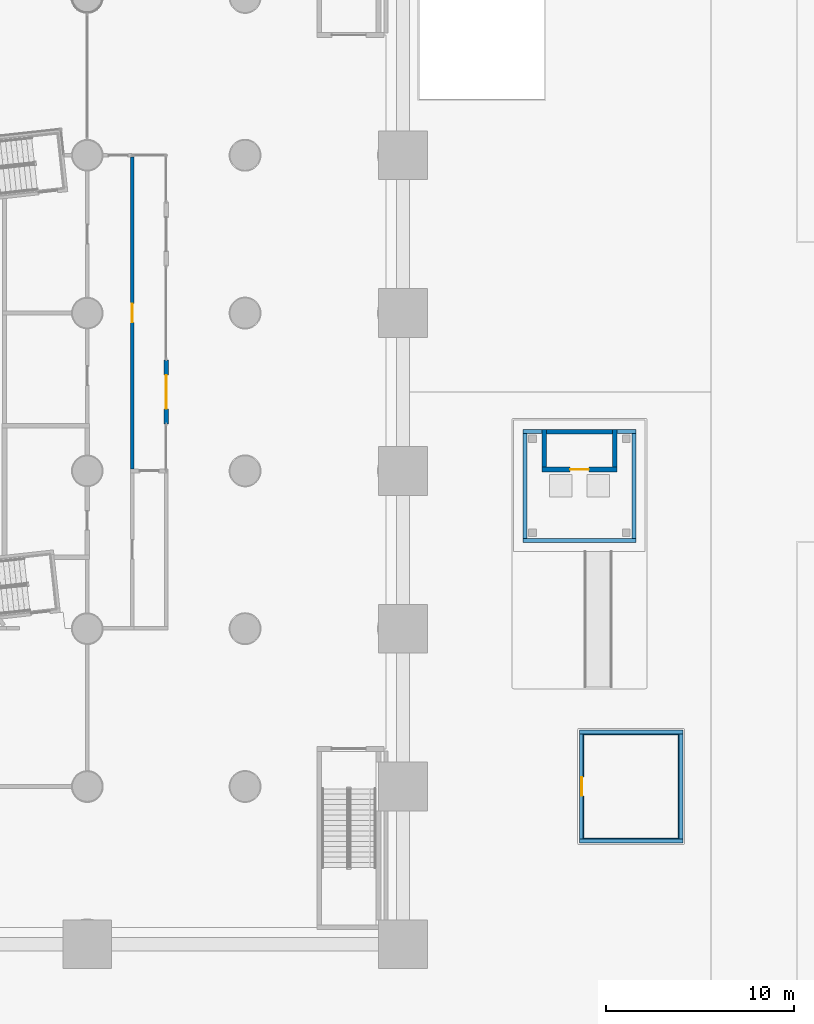
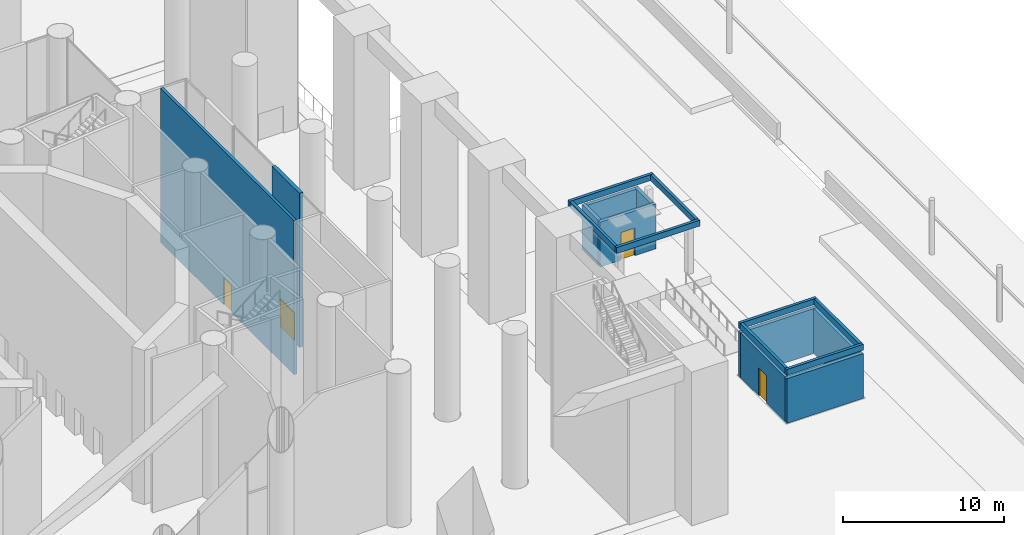
# One storey, part 15 of 52: 18 walls, 4 doors, 4 openings.
"""IFC4 building model written with IfcOpenShell, lengths in metres."""

from ifc_helpers import new_model, si_unit, direction, frame, frame_2d, origin, place, context, subcontext, project, spatial, rectangle, extrude, material, layer, layer_set, type_object, element, fill, save


model = new_model("IFC4")

# Units and contexts
model_context = context("Model", 3, precision=1e-05, world=origin(), true_north=direction((0.0, 1.0)))
body_context = subcontext(model_context, "Body", "Model", "MODEL_VIEW")
ifc_project = project(units=[si_unit("LENGTHUNIT", "METRE"), si_unit("AREAUNIT", "SQUARE_METRE"), si_unit("VOLUMEUNIT", "CUBIC_METRE"), si_unit("PLANEANGLEUNIT", "RADIAN"), si_unit("MASSUNIT", "GRAM", prefix="KILO")], contexts=[model_context])

# Site, building, storey
site_placement = place(None, origin())
site = spatial("IfcSite", under=ifc_project, at=site_placement, CompositionType="ELEMENT")
building_placement = place(site_placement, origin())
building = spatial("IfcBuilding", under=site, at=building_placement, Name="Cantera Rosa Tower", CompositionType="ELEMENT")
storey_placement = place(building_placement, origin())
storey = spatial("IfcBuildingStorey", under=building, at=storey_placement, Name="L00", CompositionType="ELEMENT", Elevation=0.0)

# Wall, opening, door
ifc_material_1 = material(Name="Masonry blockwork", Category="masonry")
ifc_layer_1 = layer(ifc_material_1, 0.199951171875)
ifc_layer_set_1 = layer_set([ifc_layer_1], Name="Blockwork partition 200")
wall_type_1 = type_object("IfcWallType", Name="Blockwork partition 200", PredefinedType="PARTITIONING", material=ifc_layer_set_1)
wall_1_placement = place(storey_placement, frame((19.199951171875, -4.10009765625, 0.0), z_axis=(0.0, 0.0, 1.0), x_axis=(0.0, 1.0, 0.0)))
wall_1 = element("IfcWall", 1, at=wall_1_placement, inside=storey, type_object=wall_type_1, Name="Partition L00-37", PredefinedType="PARTITIONING", context=body_context, shape_type="SweptSolid", body=[
    extrude(rectangle(XDim=16.60009765625, YDim=0.199951171875, at=frame_2d((8.300048828125, 0.0))), origin(), (0.0, 0.0, 1.0), 11.699951171875),
])
opening_1_placement = place(wall_1_placement, frame((7.800048828125, 0.0, 0.0)))
opening_1 = element("IfcOpeningElement", 2, at=opening_1_placement, cuts=wall_1, Name="Opening L00-005", PredefinedType="OPENING", context=body_context, shape_type="SweptSolid", body=[
    extrude(rectangle(XDim=1.0, YDim=2.10009765625, at=frame_2d((0.5, 1.050048828125))), frame((0.0, 0.10986328125, 0.0), z_axis=(0.0, -1.0, 0.0), x_axis=(1.0, 0.0, 0.0)), (0.0, 0.0, 1.0), 0.219970703125),
])
ifc_material_2 = material(Name="Timber", Category="wood")
door_type_1 = type_object("IfcDoorType", Name="Door 1000x2100", OperationType="NOTDEFINED", PredefinedType="DOOR", material=ifc_material_2)
door_1_placement = place(opening_1_placement, origin())
door_1 = element("IfcDoor", 3, at=door_1_placement, inside=storey, type_object=door_type_1, Name="Door L00-005", OverallHeight=2.10009765625, OverallWidth=1.0, PredefinedType="DOOR", context=body_context, shape_type="SweptSolid", body=[
    extrude(rectangle(XDim=1.0, YDim=2.10009765625, at=frame_2d((0.5, 1.050048828125))), frame((0.0, 0.02490234375, 0.0), z_axis=(0.0, -1.0, 0.0), x_axis=(1.0, 0.0, 0.0)), (0.0, 0.0, 1.0), 0.050048828125),
])
fill(opening_1, door_1)

ifc_material_3 = material(Name="Masonry blockwork", Category="masonry")
ifc_layer_2 = layer(ifc_material_3, 0.25)
ifc_layer_set_2 = layer_set([ifc_layer_2], Name="Entrance wall 250")
wall_type_2 = type_object("IfcWallType", Name="Entrance wall 250", PredefinedType="PARTITIONING", material=ifc_layer_set_2)
wall_2_placement = place(storey_placement, frame((21.0, -1.699951171875, 0.0), z_axis=(0.0, 0.0, 1.0), x_axis=(0.0, 1.0, 0.0)))
wall_2 = element("IfcWall", 4, at=wall_2_placement, inside=storey, type_object=wall_type_2, Name="Entrance wall L00-1", PredefinedType="PARTITIONING", context=body_context, shape_type="SweptSolid", body=[
    extrude(rectangle(XDim=3.400146484375, YDim=0.25, at=frame_2d((1.7001953125, 0.0))), origin(), (0.0, 0.0, 1.0), 11.699951171875),
])
opening_2_placement = place(wall_2_placement, frame((0.800048828125, 0.0, 0.0)))
opening_2 = element("IfcOpeningElement", 5, at=opening_2_placement, cuts=wall_2, Name="Opening L00-E01", PredefinedType="OPENING", context=body_context, shape_type="SweptSolid", body=[
    extrude(rectangle(XDim=1.800048828125, YDim=2.10009765625, at=frame_2d((0.89990234375, 1.050048828125))), frame((0.0, 0.135009765625, 0.0), z_axis=(0.0, -1.0, 0.0), x_axis=(1.0, 0.0, 0.0)), (0.0, 0.0, 1.0), 0.27001953125),
])
ifc_material_4 = material(Name="Glass", Category="glass")
door_type_2 = type_object("IfcDoorType", Name="Glazed entrance door 1800x2100", OperationType="NOTDEFINED", PredefinedType="DOOR", material=ifc_material_4)
door_2_placement = place(opening_2_placement, origin())
door_2 = element("IfcDoor", 6, at=door_2_placement, inside=storey, type_object=door_type_2, Name="Entrance door L00-E01", OperationType="DOUBLE_DOOR_SINGLE_SWING", OverallHeight=2.10009765625, OverallWidth=1.800048828125, PredefinedType="DOOR", context=body_context, shape_type="SweptSolid", body=[
    extrude(rectangle(XDim=1.800048828125, YDim=2.10009765625, at=frame_2d((0.89990234375, 1.050048828125))), frame((0.0, 0.02490234375, 0.0), z_axis=(0.0, -1.0, 0.0), x_axis=(1.0, 0.0, 0.0)), (0.0, 0.0, 1.0), 0.050048828125),
])
fill(opening_2, door_2)

# Walls
ifc_material_5 = material(Name="Concrete C40/50", Category="concrete")
ifc_layer_3 = layer(ifc_material_5, 0.25)
ifc_layer_set_3 = layer_set([ifc_layer_3], Name="Pavilion wall 250")
wall_type_3 = type_object("IfcWallType", Name="Pavilion wall 250", PredefinedType="SOLIDWALL", material=ifc_layer_set_3)
for number, where, z_axis, x_axis, name in (
    (7, (43.0, -23.875, 0.0), (0.0, 0.0, 1.0), (1.0, 0.0, 0.0), "Wall of the electrical substation kiosk S"),
    (8, (43.0, -18.125, 0.0), (0.0, 0.0, 1.0), (1.0, 0.0, 0.0), "Wall of the electrical substation kiosk N"),
):
    element("IfcWall", number, at=place(storey_placement, frame(where, z_axis=z_axis, x_axis=x_axis)), inside=storey, type_object=wall_type_3, Name=name, PredefinedType="SOLIDWALL", context=body_context, shape_type="SweptSolid", body=[
        extrude(rectangle(XDim=5.5, YDim=0.25, at=frame_2d((2.75, 0.0))), origin(), (0.0, 0.0, 1.0), 3.39990234375),
    ])

# Wall, opening, door
wall_3_placement = place(storey_placement, frame((43.125, -23.75, 0.0), z_axis=(0.0, 0.0, 1.0), x_axis=(0.0, 1.0, 0.0)))
wall_3 = element("IfcWall", 9, at=wall_3_placement, inside=storey, type_object=wall_type_3, Name="Wall of the electrical substation kiosk W", PredefinedType="SOLIDWALL", context=body_context, shape_type="SweptSolid", body=[
    extrude(rectangle(XDim=5.5, YDim=0.25, at=frame_2d((2.75, 0.0))), origin(), (0.0, 0.0, 1.0), 3.39990234375),
])
opening_3_placement = place(wall_3_placement, frame((2.25, 0.0, 0.0)))
opening_3 = element("IfcOpeningElement", 10, at=opening_3_placement, cuts=wall_3, Name="Opening L00-SUBS", PredefinedType="OPENING", context=body_context, shape_type="SweptSolid", body=[
    extrude(rectangle(XDim=1.0, YDim=2.10009765625, at=frame_2d((0.5, 1.050048828125))), frame((0.0, 0.135009765625, 0.0), z_axis=(0.0, -1.0, 0.0), x_axis=(1.0, 0.0, 0.0)), (0.0, 0.0, 1.0), 0.27001953125),
])
ifc_material_6 = material(Name="Steel S355J2 (EN 10025-2)", Category="steel")
door_type_3 = type_object("IfcDoorType", Name="Pavilion door 1000x2100", OperationType="NOTDEFINED", PredefinedType="DOOR", material=ifc_material_6)
door_3_placement = place(opening_3_placement, origin())
door_3 = element("IfcDoor", 11, at=door_3_placement, inside=storey, type_object=door_type_3, Name="Door of the electrical substation kiosk", OverallHeight=2.10009765625, OverallWidth=1.0, PredefinedType="DOOR", context=body_context, shape_type="SweptSolid", body=[
    extrude(rectangle(XDim=1.0, YDim=2.10009765625, at=frame_2d((0.5, 1.050048828125))), frame((0.0, 0.02490234375, 0.0), z_axis=(0.0, -1.0, 0.0), x_axis=(1.0, 0.0, 0.0)), (0.0, 0.0, 1.0), 0.050048828125),
])
fill(opening_3, door_3)

# Wall
wall_4_placement = place(storey_placement, frame((48.375, -23.75, 0.0), z_axis=(0.0, 0.0, 1.0), x_axis=(0.0, 1.0, 0.0)))
element("IfcWall", 12, at=wall_4_placement, inside=storey, type_object=wall_type_3, Name="Wall of the electrical substation kiosk E", PredefinedType="SOLIDWALL", context=body_context, shape_type="SweptSolid", body=[
    extrude(rectangle(XDim=5.5, YDim=0.25, at=frame_2d((2.75, 0.0))), origin(), (0.0, 0.0, 1.0), 3.39990234375),
])

# Wall, opening, door
wall_5_placement = place(storey_placement, frame((41.0, -4.125, 0.60009765625), z_axis=(0.0, 0.0, 1.0), x_axis=(1.0, 0.0, 0.0)))
wall_5 = element("IfcWall", 13, at=wall_5_placement, inside=storey, type_object=wall_type_3, Name="Wall of the tea counter S", PredefinedType="SOLIDWALL", context=body_context, shape_type="SweptSolid", body=[
    extrude(rectangle(XDim=4.0, YDim=0.25, at=frame_2d((2.0, 0.0))), origin(), (0.0, 0.0, 1.0), 3.39990234375),
])
opening_4_placement = place(wall_5_placement, frame((1.5, 0.0, 0.0)))
opening_4 = element("IfcOpeningElement", 14, at=opening_4_placement, cuts=wall_5, Name="Opening L00-TEA", PredefinedType="OPENING", context=body_context, shape_type="SweptSolid", body=[
    extrude(rectangle(XDim=1.0, YDim=2.10009765625, at=frame_2d((0.5, 1.050048828125))), frame((0.0, 0.135009765625, 0.0), z_axis=(0.0, -1.0, 0.0), x_axis=(1.0, 0.0, 0.0)), (0.0, 0.0, 1.0), 0.27001953125),
])
door_4_placement = place(opening_4_placement, origin())
door_4 = element("IfcDoor", 15, at=door_4_placement, inside=storey, type_object=door_type_3, Name="Door of the tea counter", OverallHeight=2.10009765625, OverallWidth=1.0, PredefinedType="DOOR", context=body_context, shape_type="SweptSolid", body=[
    extrude(rectangle(XDim=1.0, YDim=2.10009765625, at=frame_2d((0.5, 1.050048828125))), frame((0.0, 0.02490234375, 0.0), z_axis=(0.0, -1.0, 0.0), x_axis=(1.0, 0.0, 0.0)), (0.0, 0.0, 1.0), 0.050048828125),
])
fill(opening_4, door_4)

# Walls
for number, where, z_axis, x_axis, name in (
    (16, (41.125, -4.0, 0.60009765625), (0.0, 0.0, 1.0), (0.0, 1.0, 0.0), "Wall of the tea counter W"),
    (17, (44.875, -4.0, 0.60009765625), (0.0, 0.0, 1.0), (0.0, 1.0, 0.0), "Wall of the tea counter E"),
):
    element("IfcWall", number, at=place(storey_placement, frame(where, z_axis=z_axis, x_axis=x_axis)), inside=storey, type_object=wall_type_3, Name=name, PredefinedType="SOLIDWALL", context=body_context, shape_type="SweptSolid", body=[
        extrude(rectangle(XDim=2.0, YDim=0.25, at=frame_2d((1.0, 0.0))), origin(), (0.0, 0.0, 1.0), 3.39990234375),
    ])
wall_6_placement = place(storey_placement, frame((41.25, -2.125, 0.60009765625), z_axis=(0.0, 0.0, 1.0), x_axis=(1.0, 0.0, 0.0)))
element("IfcWall", 18, at=wall_6_placement, inside=storey, type_object=wall_type_3, Name="Wall of the tea counter N", PredefinedType="SOLIDWALL", context=body_context, shape_type="SweptSolid", body=[
    extrude(rectangle(XDim=3.5, YDim=0.25, at=frame_2d((1.75, 0.0))), origin(), (0.0, 0.0, 1.0), 3.39990234375),
])
ifc_material_7 = material(Name="Concrete C40/50", Category="concrete")
ifc_layer_4 = layer(ifc_material_7, 0.199951171875)
ifc_layer_set_4 = layer_set([ifc_layer_4], Name="Roof parapet 200")
wall_type_4 = type_object("IfcWallType", Name="Roof parapet 200", PredefinedType="PARAPET", material=ifc_layer_set_4)
for number, where, z_axis, x_axis, name in (
    (19, (43.0, -23.89990234375, 3.64990234375), (0.0, 0.0, 1.0), (1.0, 0.0, 0.0), "Parapet of the electrical substation kiosk roof S"),
    (20, (43.0, -18.10009765625, 3.64990234375), (0.0, 0.0, 1.0), (1.0, 0.0, 0.0), "Parapet of the electrical substation kiosk roof N"),
):
    element("IfcWall", number, at=place(storey_placement, frame(where, z_axis=z_axis, x_axis=x_axis)), inside=storey, type_object=wall_type_4, Name=name, PredefinedType="PARAPET", context=body_context, shape_type="SweptSolid", body=[
        extrude(rectangle(XDim=5.5, YDim=0.199951171875, at=frame_2d((2.75, 0.0))), origin(), (0.0, 0.0, 1.0), 0.4501953125),
    ])
for number, where, z_axis, x_axis, name in (
    (21, (43.10009765625, -23.800048828125, 3.64990234375), (0.0, 0.0, 1.0), (0.0, 1.0, 0.0), "Parapet of the electrical substation kiosk roof W"),
    (22, (48.39990234375, -23.800048828125, 3.64990234375), (0.0, 0.0, 1.0), (0.0, 1.0, 0.0), "Parapet of the electrical substation kiosk roof E"),
):
    element("IfcWall", number, at=place(storey_placement, frame(where, z_axis=z_axis, x_axis=x_axis)), inside=storey, type_object=wall_type_4, Name=name, PredefinedType="PARAPET", context=body_context, shape_type="SweptSolid", body=[
        extrude(rectangle(XDim=5.60009765625, YDim=0.199951171875, at=frame_2d((2.800048828125, 0.0))), origin(), (0.0, 0.0, 1.0), 0.4501953125),
    ])
for number, where, z_axis, x_axis, name in (
    (23, (40.0, -7.89990234375, 4.25), (0.0, 0.0, 1.0), (1.0, 0.0, 0.0), "Parapet of the tea pavilion roof S"),
    (24, (40.0, -2.10009765625, 4.25), (0.0, 0.0, 1.0), (1.0, 0.0, 0.0), "Parapet of the tea pavilion roof N"),
):
    element("IfcWall", number, at=place(storey_placement, frame(where, z_axis=z_axis, x_axis=x_axis)), inside=storey, type_object=wall_type_4, Name=name, PredefinedType="PARAPET", context=body_context, shape_type="SweptSolid", body=[
        extrude(rectangle(XDim=6.0, YDim=0.199951171875, at=frame_2d((3.0, 0.0))), origin(), (0.0, 0.0, 1.0), 0.449951171875),
    ])
for number, where, z_axis, x_axis, name in (
    (25, (40.10009765625, -7.800048828125, 4.25), (0.0, 0.0, 1.0), (0.0, 1.0, 0.0), "Parapet of the tea pavilion roof W"),
    (26, (45.89990234375, -7.800048828125, 4.25), (0.0, 0.0, 1.0), (0.0, 1.0, 0.0), "Parapet of the tea pavilion roof E"),
):
    element("IfcWall", number, at=place(storey_placement, frame(where, z_axis=z_axis, x_axis=x_axis)), inside=storey, type_object=wall_type_4, Name=name, PredefinedType="PARAPET", context=body_context, shape_type="SweptSolid", body=[
        extrude(rectangle(XDim=5.60009765625, YDim=0.199951171875, at=frame_2d((2.800048828125, 0.0))), origin(), (0.0, 0.0, 1.0), 0.449951171875),
    ])

save(model, "model.ifc")
